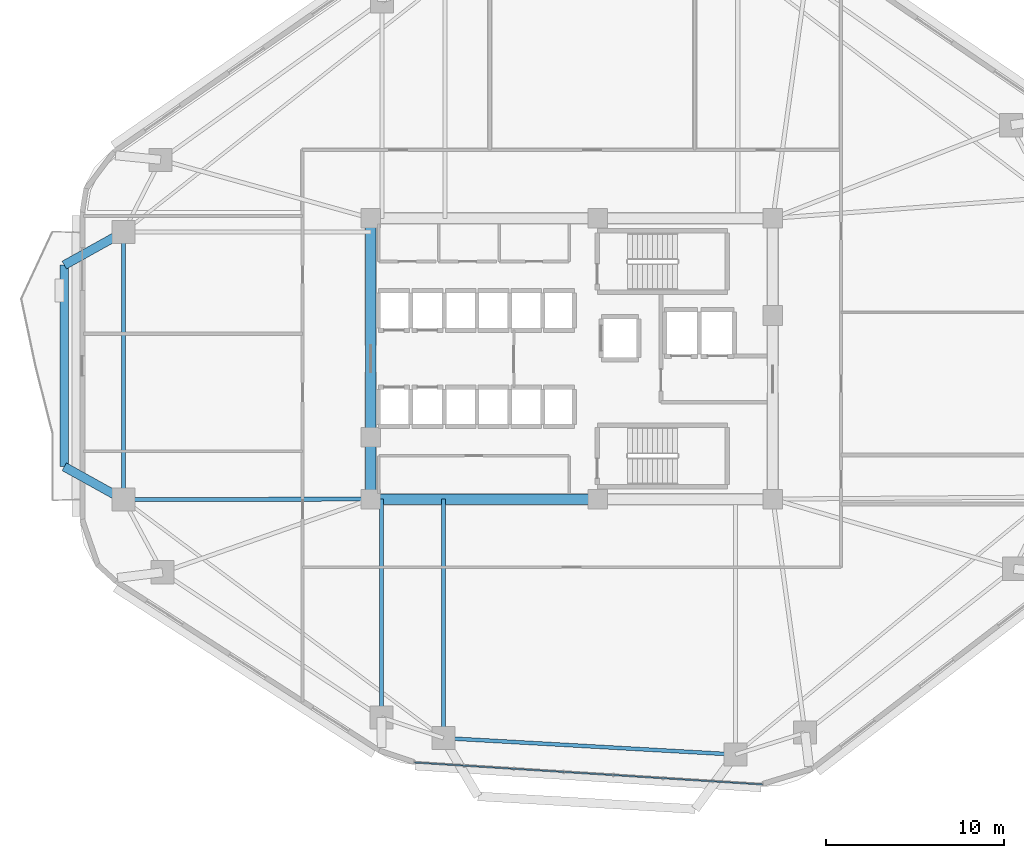
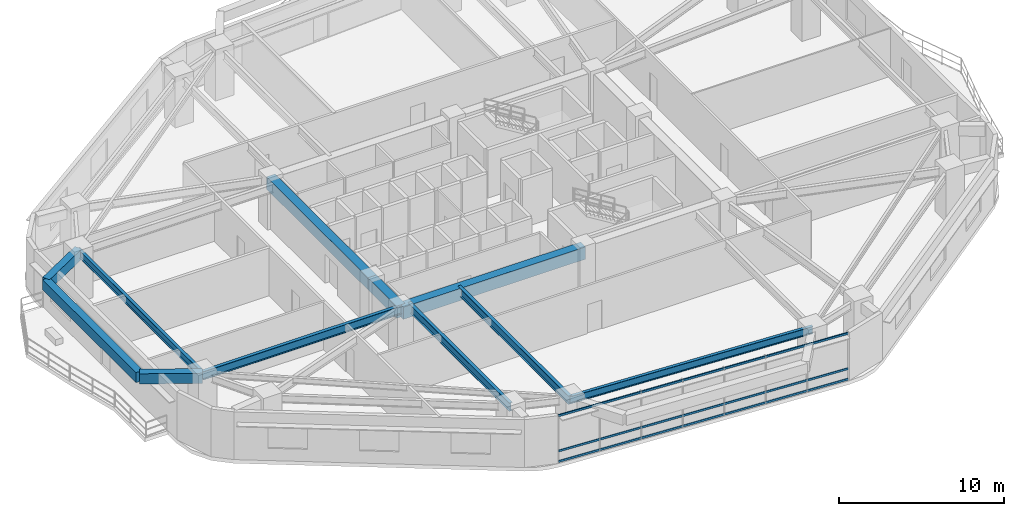
# One storey, part 4 of 13: 11 beams, 3 members, 1 element without a shape of its own.
"""IFC4 building model written with IfcOpenShell, lengths in metres."""

from ifc_helpers import new_model, si_unit, direction, frame, origin, origin_2d, place, context, subcontext, project, spatial, rectangle, hollow_rectangle, i_section, extrude, material, material_profile, profile_set, type_object, element, aggregate, save


model = new_model("IFC4")

# Units and contexts
model_context = context("Model", 3, precision=1e-05, world=origin(), true_north=direction((0.0, 1.0)))
body_context = subcontext(model_context, "Body", "Model", "MODEL_VIEW")
ifc_project = project(units=[si_unit("LENGTHUNIT", "METRE"), si_unit("AREAUNIT", "SQUARE_METRE"), si_unit("VOLUMEUNIT", "CUBIC_METRE"), si_unit("PLANEANGLEUNIT", "RADIAN"), si_unit("MASSUNIT", "GRAM", prefix="KILO")], contexts=[model_context])

# Site, building, storey
site_placement = place(None, origin())
site = spatial("IfcSite", under=ifc_project, at=site_placement, CompositionType="ELEMENT")
building_placement = place(site_placement, origin())
building = spatial("IfcBuilding", under=site, at=building_placement, Name="Zulverin Broadcast Headquarters", CompositionType="ELEMENT")
storey_placement = place(building_placement, frame((0.0, 0.0, 47.800048828125)))
storey = spatial("IfcBuildingStorey", under=building, at=storey_placement, Name="L11", CompositionType="ELEMENT", Elevation=47.800048828125)

# Beams
ifc_material_1 = material(Name="Concrete C60/75", Category="concrete")
ifc_material_profile_1 = material_profile(ifc_material_1, rectangle(XDim=0.60009765625, YDim=0.89990234375, at=origin_2d()), Name="Concrete C60/75", Category="concrete")
ifc_profile_set_1 = profile_set([ifc_material_profile_1], Name="Concrete C60/75")
beam_type_1 = type_object("IfcBeamType", Name="BM-CB-600x900", PredefinedType="LINTEL", material=ifc_profile_set_1)
beam_1_placement = place(storey_placement, frame((25.72509765625, 17.324951171875, 3.074951171875), z_axis=(1.0, 0.0, 0.0), x_axis=(0.0, 1.0, 0.0)))
element("IfcBeam", 1, at=beam_1_placement, inside=storey, type_object=beam_type_1, Name="L11 Core Coupling Girder K01-K02", PredefinedType="LINTEL", context=body_context, shape_type="SweptSolid", body=[
    extrude(rectangle(XDim=0.60009765625, YDim=0.89990234375, at=origin_2d()), origin(), (0.0, 0.0, 1.0), 12.724853515625),
])
beam_2_placement = place(storey_placement, frame((25.72509765625, 33.074951171875, 3.074951171875), z_axis=(0.0, -1.0, 0.0), x_axis=(1.0, 0.0, 0.0)))
element("IfcBeam", 2, at=beam_2_placement, inside=storey, type_object=beam_type_1, Name="L11 Core Coupling Girder K07-K08", PredefinedType="LINTEL", context=body_context, shape_type="SweptSolid", body=[
    extrude(rectangle(XDim=0.60009765625, YDim=0.89990234375, at=origin_2d()), origin(), (0.0, 0.0, 1.0), 12.27490234375),
])
beam_3_placement = place(storey_placement, frame((25.72509765625, 20.800048828125, 3.074951171875), z_axis=(0.0, -1.0, 0.0), x_axis=(1.0, 0.0, 0.0)))
element("IfcBeam", 3, at=beam_3_placement, inside=storey, type_object=beam_type_1, Name="L11 Core Coupling Girder K08-K01", PredefinedType="LINTEL", context=body_context, shape_type="SweptSolid", body=[
    extrude(rectangle(XDim=0.60009765625, YDim=0.89990234375, at=origin_2d()), origin(), (0.0, 0.0, 1.0), 3.47509765625),
])
ifc_material_2 = material(Name="Concrete C40/50", Category="concrete")
ifc_material_profile_2 = material_profile(ifc_material_2, rectangle(XDim=0.5, YDim=0.75, at=origin_2d()), Name="Concrete C40/50", Category="concrete")
ifc_profile_set_2 = profile_set([ifc_material_profile_2], Name="Concrete C40/50")
beam_type_2 = type_object("IfcBeamType", Name="BM-RC-500x750", PredefinedType="BEAM", material=ifc_profile_set_2)
beam_4_placement = place(storey_placement, frame((11.85009765625, 32.298095703125, 3.14990234375), z_axis=(-0.873763019306, -0.486351915893, 0.0), x_axis=(0.486351915893, -0.873763019306, 0.0)))
element("IfcBeam", 4, at=beam_4_placement, inside=storey, type_object=beam_type_2, Name="L12 Balcony Column-Framed Cantilever BAL_W-1", PredefinedType="BEAM", context=body_context, shape_type="SweptSolid", body=[
    extrude(rectangle(XDim=0.5, YDim=0.75, at=origin_2d()), origin(), (0.0, 0.0, 1.0), 3.800048828125),
])
beam_5_placement = place(storey_placement, frame((11.85009765625, 17.297607421875, 3.14990234375), z_axis=(-0.874363278793, 0.485271940975, 0.0), x_axis=(-0.485271940975, -0.874363278793, 0.0)))
element("IfcBeam", 5, at=beam_5_placement, inside=storey, type_object=beam_type_2, Name="L12 Balcony Column-Framed Cantilever BAL_W-2", PredefinedType="BEAM", context=body_context, shape_type="SweptSolid", body=[
    extrude(rectangle(XDim=0.5, YDim=0.75, at=origin_2d()), origin(), (0.0, 0.0, 1.0), 3.7998046875),
])
beam_6_placement = place(storey_placement, frame((8.52978515625, 30.449951171875, 3.14990234375), z_axis=(-0.000194304709, -0.999999981123, 0.0), x_axis=(0.999999981123, -0.000194304709, 0.0)))
element("IfcBeam", 6, at=beam_6_placement, inside=storey, type_object=beam_type_2, Name="L12 Balcony Outer Edge Trimmer Beam BAL_W", PredefinedType="BEAM", context=body_context, shape_type="SweptSolid", body=[
    extrude(rectangle(XDim=0.5, YDim=0.75, at=origin_2d()), origin(), (0.0, 0.0, 1.0), 11.308349609375),
])
ifc_material_3 = material(Name="Structural steel S355JR", Category="steel")
ifc_material_profile_3 = material_profile(ifc_material_3, i_section(OverallWidth=0.2119140625, OverallDepth=0.54443359375, WebThickness=0.0126953125, FlangeThickness=0.021240234375, at=origin_2d()), Name="Structural steel S355JR", Category="steel")
ifc_profile_set_3 = profile_set([ifc_material_profile_3], Name="Structural steel S355JR")
beam_type_3 = type_object("IfcBeamType", Name="BM-UB-533", PredefinedType="SPANDREL", material=ifc_profile_set_3)
beam_7_placement = place(storey_placement, frame((29.79638671875, 3.922119140625, 3.252685546875), z_axis=(0.998411385104, -0.056344530297, 0.0), x_axis=(0.056344530297, 0.998411385104, 0.0)))
element("IfcBeam", 7, at=beam_7_placement, inside=storey, type_object=beam_type_3, Name="L11 Perimeter Spandrel Beam SP-01", PredefinedType="SPANDREL", context=body_context, shape_type="SweptSolid", body=[
    extrude(i_section(OverallWidth=0.2119140625, OverallDepth=0.54443359375, WebThickness=0.0126953125, FlangeThickness=0.021240234375, at=origin_2d()), origin(), (0.0, 0.0, 1.0), 16.40478515625),
])
beam_8_placement = place(storey_placement, frame((11.85009765625, 32.298095703125, 3.252685546875), z_axis=(0.0, -1.0, 0.0), x_axis=(1.0, 0.0, 0.0)))
element("IfcBeam", 8, at=beam_8_placement, inside=storey, type_object=beam_type_3, Name="L11 Perimeter Spandrel Beam SP-13", PredefinedType="SPANDREL", context=body_context, shape_type="SweptSolid", body=[
    extrude(i_section(OverallWidth=0.2119140625, OverallDepth=0.54443359375, WebThickness=0.0126953125, FlangeThickness=0.021240234375, at=origin_2d()), origin(), (0.0, 0.0, 1.0), 15.00048828125),
])
ifc_material_profile_4 = material_profile(ifc_material_3, i_section(OverallWidth=0.230224609375, OverallDepth=0.6171875, WebThickness=0.01318359375, FlangeThickness=0.022216796875, at=origin_2d()), Name="Structural steel S355JR", Category="steel")
ifc_profile_set_4 = profile_set([ifc_material_profile_4], Name="Structural steel S355JR")
beam_type_4 = type_object("IfcBeamType", Name="BM-UB-610", PredefinedType="BEAM", material=ifc_profile_set_4)
beam_9_placement = place(storey_placement, frame((29.79638671875, 17.324951171875, 3.21630859375), z_axis=(0.0, -1.0, 0.0), x_axis=(1.0, 0.0, 0.0)))
element("IfcBeam", 9, at=beam_9_placement, inside=storey, type_object=beam_type_4, Name="L11 Radial Primary Floor Beam RB-01", PredefinedType="BEAM", context=body_context, shape_type="SweptSolid", body=[
    extrude(i_section(OverallWidth=0.230224609375, OverallDepth=0.6171875, WebThickness=0.01318359375, FlangeThickness=0.022216796875, at=origin_2d()), origin(), (0.0, 0.0, 1.0), 13.40283203125),
])
beam_10_placement = place(storey_placement, frame((25.72509765625, 17.324951171875, 3.21630859375), z_axis=(-0.999998058136, -0.001970716894, 0.0), x_axis=(0.001970716894, -0.999998058136, 0.0)))
element("IfcBeam", 10, at=beam_10_placement, inside=storey, type_object=beam_type_4, Name="L11 Radial Primary Floor Beam RB-14", PredefinedType="BEAM", context=body_context, shape_type="SweptSolid", body=[
    extrude(i_section(OverallWidth=0.230224609375, OverallDepth=0.6171875, WebThickness=0.01318359375, FlangeThickness=0.022216796875, at=origin_2d()), origin(), (0.0, 0.0, 1.0), 13.875),
])
beam_11_placement = place(storey_placement, frame((26.3251953125, 17.324951171875, 3.21630859375), z_axis=(0.0, -1.0, 0.0), x_axis=(1.0, 0.0, 0.0)))
element("IfcBeam", 11, at=beam_11_placement, inside=storey, type_object=beam_type_4, Name="L11 Radial Primary Floor Beam RB-16", PredefinedType="BEAM", context=body_context, shape_type="SweptSolid", body=[
    extrude(i_section(OverallWidth=0.230224609375, OverallDepth=0.6171875, WebThickness=0.01318359375, FlangeThickness=0.022216796875, at=origin_2d()), origin(), (0.0, 0.0, 1.0), 12.2490234375),
])

# Curtain wall, members
ifc_material_4 = material(Name="Low-zone ribbon unitised curtain wall", Category="aluminium")
curtain_wall_type = type_object("IfcCurtainWallType", Name="CW-TWR-LOW", PredefinedType="USERDEFINED", material=ifc_material_4)
curtain_wall_placement = place(storey_placement, origin())
curtain_wall = element("IfcCurtainWall", 12, at=curtain_wall_placement, inside=storey, type_object=curtain_wall_type, Name="L11 Unitised Curtain Wall CW-L11-E1", ObjectType="UNITISED CURTAIN WALL", PredefinedType="USERDEFINED")
ifc_material_5 = material(Name="Anodized pale-metal aluminium alloy 6063-T6", Category="aluminium")
ifc_material_profile_5 = material_profile(ifc_material_5, hollow_rectangle(XDim=0.074951171875, YDim=0.14990234375, WallThickness=0.0048828125, at=origin_2d()), Name="Anodized pale-metal aluminium alloy 6063-T6", Category="aluminium")
ifc_profile_set_5 = profile_set([ifc_material_profile_5], Name="Anodized pale-metal aluminium alloy 6063-T6")
member_type = type_object("IfcMemberType", Name="CW-TRN-150", PredefinedType="USERDEFINED", material=ifc_profile_set_5)
member_1_placement = place(storey_placement, frame((28.16015625, 2.55126953125, 0.074951171875), z_axis=(0.998017288298, -0.06294038654, 0.0), x_axis=(0.06294038654, 0.998017288298, 0.0)))
member_1 = element("IfcMember", 13, at=member_1_placement, type_object=member_type, Name="CW-L11-E1 Transom 0", ObjectType="TRANSOM", PredefinedType="USERDEFINED", context=body_context, shape_type="SweptSolid", body=[
    extrude(hollow_rectangle(XDim=0.074951171875, YDim=0.14990234375, WallThickness=0.0048828125, at=origin_2d()), origin(), (0.0, 0.0, 1.0), 19.576904296875),
])
member_2_placement = place(storey_placement, frame((28.16015625, 2.55126953125, 0.845947265625), z_axis=(0.998017288298, -0.06294038654, 0.0), x_axis=(0.06294038654, 0.998017288298, 0.0)))
member_2 = element("IfcMember", 14, at=member_2_placement, type_object=member_type, Name="CW-L11-E1 Transom 1", ObjectType="TRANSOM", PredefinedType="USERDEFINED", context=body_context, shape_type="SweptSolid", body=[
    extrude(hollow_rectangle(XDim=0.074951171875, YDim=0.14990234375, WallThickness=0.0048828125, at=origin_2d()), origin(), (0.0, 0.0, 1.0), 19.576904296875),
])
member_3_placement = place(storey_placement, frame((28.16015625, 2.55126953125, 3.449951171875), z_axis=(0.998017288298, -0.06294038654, 0.0), x_axis=(0.06294038654, 0.998017288298, 0.0)))
member_3 = element("IfcMember", 15, at=member_3_placement, type_object=member_type, Name="CW-L11-E1 Transom 2", ObjectType="TRANSOM", PredefinedType="USERDEFINED", context=body_context, shape_type="SweptSolid", body=[
    extrude(hollow_rectangle(XDim=0.074951171875, YDim=0.14990234375, WallThickness=0.0048828125, at=origin_2d()), origin(), (0.0, 0.0, 1.0), 19.576904296875),
])
aggregate(curtain_wall, [member_1, member_2, member_3])

save(model, "model.ifc")
